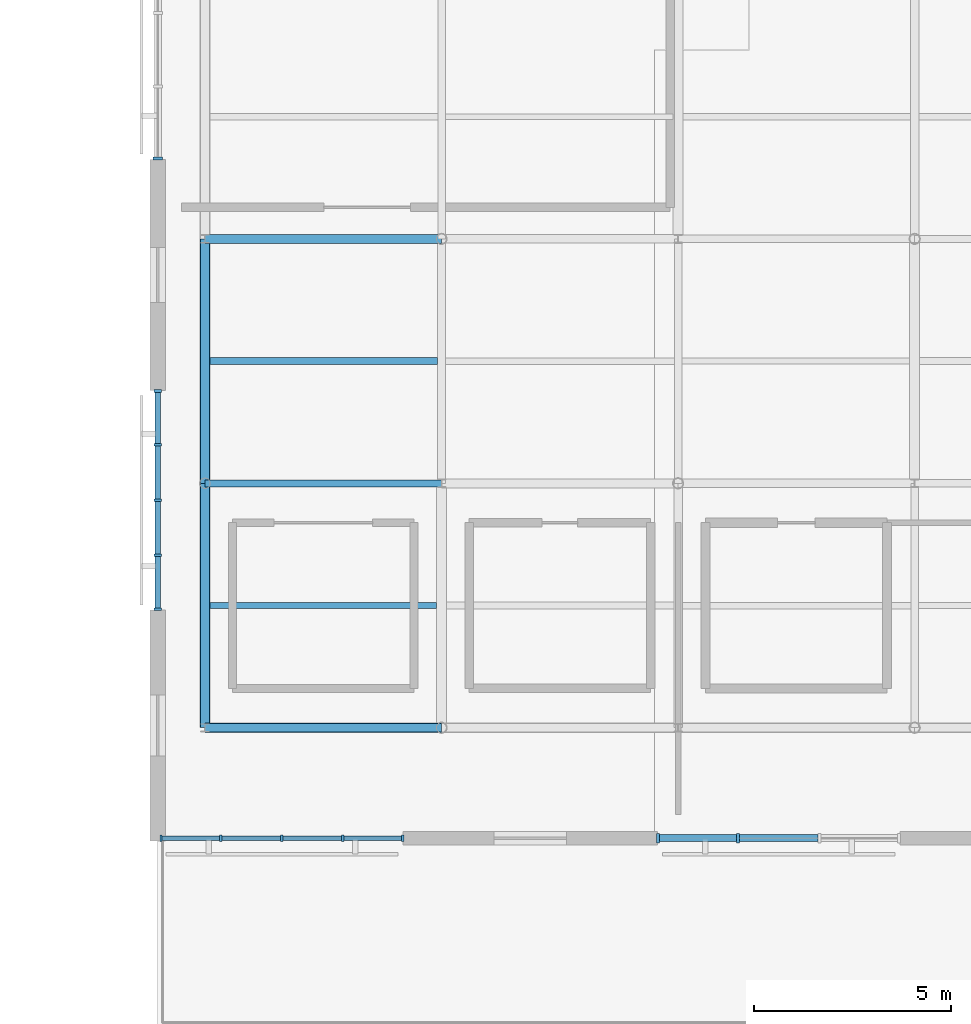
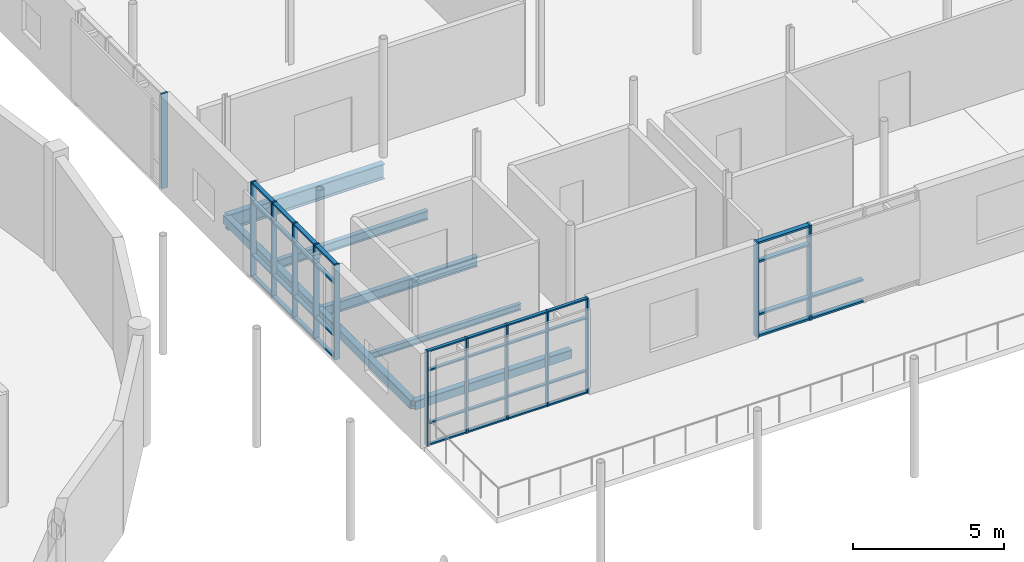
# One storey, part 22 of 66: 51 members, 7 beams, 4 elements without a shape of their own.
"""IFC4 building model written with IfcOpenShell, lengths in metres."""

from ifc_helpers import new_model, si_unit, direction, frame, origin, origin_2d, place, context, subcontext, project, spatial, rectangle, hollow_rectangle, i_section, extrude, material, layer, layer_set, material_profile, profile_set, type_object, element, aggregate, save


model = new_model("IFC4")

# Units and contexts
model_context = context("Model", 3, precision=1e-05, world=origin(), true_north=direction((0.0, 1.0)))
body_context = subcontext(model_context, "Body", "Model", "MODEL_VIEW")
ifc_project = project(units=[si_unit("LENGTHUNIT", "METRE"), si_unit("AREAUNIT", "SQUARE_METRE"), si_unit("VOLUMEUNIT", "CUBIC_METRE"), si_unit("PLANEANGLEUNIT", "RADIAN"), si_unit("MASSUNIT", "GRAM", prefix="KILO")], contexts=[model_context])

# Site, building, storey
site_placement = place(None, origin())
site = spatial("IfcSite", under=ifc_project, at=site_placement, CompositionType="ELEMENT")
building_placement = place(site_placement, origin())
building = spatial("IfcBuilding", under=site, at=building_placement, Name="Mirzam Square Science Centre", CompositionType="ELEMENT")
storey_placement = place(building_placement, frame((0.0, 0.0, 15.60009765625)))
storey = spatial("IfcBuildingStorey", under=building, at=storey_placement, Name="L03", CompositionType="ELEMENT", Elevation=15.60009765625)

# Beams
ifc_material_1 = material(Name="Steel S355", Category="steel")
ifc_material_profile_1 = material_profile(ifc_material_1, i_section(OverallWidth=0.1787109375, OverallDepth=0.409423828125, WebThickness=0.0087890625, FlangeThickness=0.014404296875, FilletRadius=0.01025390625, at=origin_2d()), Name="406x178x67UB")
ifc_profile_set_1 = profile_set([ifc_material_profile_1], Name="Steel S355")
beam_type_1 = type_object("IfcBeamType", Name="BM-UB406", PredefinedType="BEAM", material=ifc_profile_set_1)
beam_1_placement = place(storey_placement, frame((108.0, 55.800048828125, -0.454833984375), z_axis=(1.0, 0.0, 0.0), x_axis=(0.0, 1.0, 0.0)))
element("IfcBeam", 1, at=beam_1_placement, inside=storey, type_object=beam_type_1, Name="L03 girder X19-10", PredefinedType="BEAM", context=body_context, shape_type="SweptSolid", body=[
    extrude(i_section(OverallWidth=0.1787109375, OverallDepth=0.409423828125, WebThickness=0.0087890625, FlangeThickness=0.014404296875, FilletRadius=0.01025390625, at=origin_2d()), origin(), (0.0, 0.0, 1.0), 6.0),
])
ifc_material_profile_2 = material_profile(ifc_material_1, i_section(OverallWidth=0.22900390625, OverallDepth=0.6123046875, WebThickness=0.011962890625, FlangeThickness=0.01953125, FilletRadius=0.0126953125, at=origin_2d()), Name="610x229x125UB")
ifc_profile_set_2 = profile_set([ifc_material_profile_2], Name="Steel S355")
beam_type_2 = type_object("IfcBeamType", Name="BM-UB610", PredefinedType="BEAM", material=ifc_profile_set_2)
beam_2_placement = place(storey_placement, frame((108.0, 62.0, -0.55615234375), z_axis=(1.0, 0.0, 0.0), x_axis=(0.0, 1.0, 0.0)))
element("IfcBeam", 2, at=beam_2_placement, inside=storey, type_object=beam_type_2, Name="L03 girder X19-11", PredefinedType="BEAM", context=body_context, shape_type="SweptSolid", body=[
    extrude(i_section(OverallWidth=0.22900390625, OverallDepth=0.6123046875, WebThickness=0.011962890625, FlangeThickness=0.01953125, FilletRadius=0.0126953125, at=origin_2d()), origin(), (0.0, 0.0, 1.0), 6.0),
])

# Curtain wall, members
ifc_material_2 = material(Name="Anodised Aluminium and Low-E Solar Glass", Category="aluminium")
ifc_layer_1 = layer(ifc_material_2, 0.159912109375)
ifc_layer_set_1 = layer_set([ifc_layer_1], Name="CW-COURT-B")
curtain_wall_type_1 = type_object("IfcCurtainWallType", Name="CW-COURT-B", PredefinedType="USERDEFINED", material=ifc_layer_set_1)
curtain_wall_1_placement = place(storey_placement, origin())
curtain_wall_1 = element("IfcCurtainWall", 3, at=curtain_wall_1_placement, inside=storey, type_object=curtain_wall_type_1, Name="L03 unitised curtain wall 123", ObjectType="UNITISED CURTAIN WALL", PredefinedType="USERDEFINED")
ifc_material_3 = material(Name="Anodised Architectural Aluminium 6063-T6", Category="aluminium")
ifc_material_profile_3 = material_profile(ifc_material_3, rectangle(XDim=0.06005859375, YDim=0.159912109375, at=origin_2d()), Name="ALU-MULL-160x60x4")
ifc_profile_set_3 = profile_set([ifc_material_profile_3], Name="Anodised Architectural Aluminium 6063-T6")
member_type_1 = type_object("IfcMemberType", Name="CWM-160", PredefinedType="MULLION", material=ifc_profile_set_3)
member_1_placement = place(storey_placement, frame((106.885009765625, 46.800048828125, 0.0), z_axis=(0.0, 0.0, 1.0), x_axis=(1.0, 0.0, 0.0)))
member_1 = element("IfcMember", 4, at=member_1_placement, type_object=member_type_1, Name="CW-04 mullion 1", PredefinedType="MULLION", context=body_context, shape_type="SweptSolid", body=[
    extrude(rectangle(XDim=0.06005859375, YDim=0.159912109375, at=origin_2d()), origin(), (0.0, 0.0, 1.0), 3.83984375),
])
member_2_placement = place(storey_placement, frame((108.402587890625, 46.800048828125, 0.0), z_axis=(0.0, 0.0, 1.0), x_axis=(1.0, 0.0, 0.0)))
member_2 = element("IfcMember", 5, at=member_2_placement, type_object=member_type_1, Name="CW-04 mullion 2", PredefinedType="MULLION", context=body_context, shape_type="SweptSolid", body=[
    extrude(rectangle(XDim=0.06005859375, YDim=0.159912109375, at=origin_2d()), origin(), (0.0, 0.0, 1.0), 3.83984375),
])
member_3_placement = place(storey_placement, frame((109.949951171875, 46.800048828125, 0.0), z_axis=(0.0, 0.0, 1.0), x_axis=(1.0, 0.0, 0.0)))
member_3 = element("IfcMember", 6, at=member_3_placement, type_object=member_type_1, Name="CW-04 mullion 3", PredefinedType="MULLION", context=body_context, shape_type="SweptSolid", body=[
    extrude(rectangle(XDim=0.06005859375, YDim=0.159912109375, at=origin_2d()), origin(), (0.0, 0.0, 1.0), 3.83984375),
])
member_4_placement = place(storey_placement, frame((111.49755859375, 46.800048828125, 0.0), z_axis=(0.0, 0.0, 1.0), x_axis=(1.0, 0.0, 0.0)))
member_4 = element("IfcMember", 7, at=member_4_placement, type_object=member_type_1, Name="CW-04 mullion 4", PredefinedType="MULLION", context=body_context, shape_type="SweptSolid", body=[
    extrude(rectangle(XDim=0.06005859375, YDim=0.159912109375, at=origin_2d()), origin(), (0.0, 0.0, 1.0), 3.83984375),
])
member_5_placement = place(storey_placement, frame((113.014892578125, 46.800048828125, 0.0), z_axis=(0.0, 0.0, 1.0), x_axis=(1.0, 0.0, 0.0)))
member_5 = element("IfcMember", 8, at=member_5_placement, type_object=member_type_1, Name="CW-04 mullion 5", PredefinedType="MULLION", context=body_context, shape_type="SweptSolid", body=[
    extrude(rectangle(XDim=0.06005859375, YDim=0.159912109375, at=origin_2d()), origin(), (0.0, 0.0, 1.0), 3.83984375),
])

ifc_layer_2 = layer(ifc_material_2, 0.179931640625)
ifc_layer_set_2 = layer_set([ifc_layer_2], Name="CW-LINK-A")
curtain_wall_type_2 = type_object("IfcCurtainWallType", Name="CW-LINK-A", PredefinedType="USERDEFINED", material=ifc_layer_set_2)
curtain_wall_2_placement = place(storey_placement, origin())
curtain_wall_2 = element("IfcCurtainWall", 9, at=curtain_wall_2_placement, inside=storey, type_object=curtain_wall_type_2, Name="L03 unitised curtain wall 135", ObjectType="UNITISED CURTAIN WALL", PredefinedType="USERDEFINED")
ifc_material_profile_4 = material_profile(ifc_material_3, rectangle(XDim=0.06494140625, YDim=0.199951171875, at=origin_2d()), Name="ALU-MULL-200x65x5")
ifc_profile_set_4 = profile_set([ifc_material_profile_4], Name="Anodised Architectural Aluminium 6063-T6")
member_type_2 = type_object("IfcMemberType", Name="CWM-200", PredefinedType="MULLION", material=ifc_profile_set_4)
member_6_placement = place(storey_placement, frame((106.800048828125, 58.14111328125, 0.0), z_axis=(0.0, 0.0, 1.0), x_axis=(0.0, -1.0, 0.0)))
member_6 = element("IfcMember", 10, at=member_6_placement, type_object=member_type_2, Name="CW-08 mullion 1", PredefinedType="MULLION", context=body_context, shape_type="SweptSolid", body=[
    extrude(rectangle(XDim=0.06494140625, YDim=0.199951171875, at=origin_2d()), origin(), (0.0, 0.0, 1.0), 3.83984375),
])
member_7_placement = place(storey_placement, frame((106.800048828125, 56.7724609375, 0.0), z_axis=(0.0, 0.0, 1.0), x_axis=(0.0, -1.0, 0.0)))
member_7 = element("IfcMember", 11, at=member_7_placement, type_object=member_type_2, Name="CW-08 mullion 2", PredefinedType="MULLION", context=body_context, shape_type="SweptSolid", body=[
    extrude(rectangle(XDim=0.06494140625, YDim=0.199951171875, at=origin_2d()), origin(), (0.0, 0.0, 1.0), 3.83984375),
])
member_8_placement = place(storey_placement, frame((106.800048828125, 55.371337890625, 0.0), z_axis=(0.0, 0.0, 1.0), x_axis=(0.0, -1.0, 0.0)))
member_8 = element("IfcMember", 12, at=member_8_placement, type_object=member_type_2, Name="CW-08 mullion 3", PredefinedType="MULLION", context=body_context, shape_type="SweptSolid", body=[
    extrude(rectangle(XDim=0.06494140625, YDim=0.199951171875, at=origin_2d()), origin(), (0.0, 0.0, 1.0), 3.83984375),
])
member_9_placement = place(storey_placement, frame((106.800048828125, 53.970458984375, 0.0), z_axis=(0.0, 0.0, 1.0), x_axis=(0.0, -1.0, 0.0)))
member_9 = element("IfcMember", 13, at=member_9_placement, type_object=member_type_2, Name="CW-08 mullion 4", PredefinedType="MULLION", context=body_context, shape_type="SweptSolid", body=[
    extrude(rectangle(XDim=0.06494140625, YDim=0.199951171875, at=origin_2d()), origin(), (0.0, 0.0, 1.0), 3.83984375),
])
member_10_placement = place(storey_placement, frame((106.800048828125, 52.601806640625, 0.0), z_axis=(0.0, 0.0, 1.0), x_axis=(0.0, -1.0, 0.0)))
member_10 = element("IfcMember", 14, at=member_10_placement, type_object=member_type_2, Name="CW-08 mullion 5", PredefinedType="MULLION", context=body_context, shape_type="SweptSolid", body=[
    extrude(rectangle(XDim=0.06494140625, YDim=0.199951171875, at=origin_2d()), origin(), (0.0, 0.0, 1.0), 3.83984375),
])

ifc_layer_3 = layer(ifc_material_2, 0.239990234375)
ifc_layer_set_3 = layer_set([ifc_layer_3], Name="CW-EAST-B")
curtain_wall_type_3 = type_object("IfcCurtainWallType", Name="CW-EAST-B", PredefinedType="USERDEFINED", material=ifc_layer_set_3)
curtain_wall_3_placement = place(storey_placement, origin())
curtain_wall_3 = element("IfcCurtainWall", 15, at=curtain_wall_3_placement, inside=storey, type_object=curtain_wall_type_3, Name="L03 unitised curtain wall 124", ObjectType="UNITISED CURTAIN WALL", PredefinedType="USERDEFINED")
ifc_material_profile_5 = material_profile(ifc_material_3, rectangle(XDim=0.074951171875, YDim=0.239990234375, at=origin_2d()), Name="ALU-MULL-240x75x5")
ifc_profile_set_5 = profile_set([ifc_material_profile_5], Name="Anodised Architectural Aluminium 6063-T6")
member_type_3 = type_object("IfcMemberType", Name="CWM-240", PredefinedType="MULLION", material=ifc_profile_set_5)
member_11_placement = place(storey_placement, frame((119.492431640625, 46.800048828125, 0.0), z_axis=(0.0, 0.0, 1.0), x_axis=(1.0, 0.0, 0.0)))
member_11 = element("IfcMember", 16, at=member_11_placement, type_object=member_type_3, Name="CW-06 mullion 1", PredefinedType="MULLION", context=body_context, shape_type="SweptSolid", body=[
    extrude(rectangle(XDim=0.074951171875, YDim=0.239990234375, at=origin_2d()), origin(), (0.0, 0.0, 1.0), 3.83984375),
])
member_12_placement = place(storey_placement, frame((121.518310546875, 46.800048828125, 0.0), z_axis=(0.0, 0.0, 1.0), x_axis=(1.0, 0.0, 0.0)))
member_12 = element("IfcMember", 17, at=member_12_placement, type_object=member_type_3, Name="CW-06 mullion 2", PredefinedType="MULLION", context=body_context, shape_type="SweptSolid", body=[
    extrude(rectangle(XDim=0.074951171875, YDim=0.239990234375, at=origin_2d()), origin(), (0.0, 0.0, 1.0), 3.83984375),
])

# Curtain wall, member
curtain_wall_4_placement = place(storey_placement, origin())
curtain_wall_4 = element("IfcCurtainWall", 18, at=curtain_wall_4_placement, inside=storey, type_object=curtain_wall_type_3, Name="L03 unitised curtain wall 134", ObjectType="UNITISED CURTAIN WALL", PredefinedType="USERDEFINED")
member_13_placement = place(storey_placement, frame((106.800048828125, 64.035400390625, 0.0), z_axis=(0.0, 0.0, 1.0), x_axis=(0.0, -1.0, 0.0)))
member_13 = element("IfcMember", 19, at=member_13_placement, type_object=member_type_3, Name="CW-06 mullion 4", PredefinedType="MULLION", context=body_context, shape_type="SweptSolid", body=[
    extrude(rectangle(XDim=0.074951171875, YDim=0.239990234375, at=origin_2d()), origin(), (0.0, 0.0, 1.0), 3.83984375),
])
aggregate(curtain_wall_4, [member_13])

# Member
ifc_material_profile_6 = material_profile(ifc_material_3, rectangle(XDim=0.1201171875, YDim=0.06005859375, at=origin_2d()), Name="ALU-TRAN-120x60x4")
ifc_profile_set_6 = profile_set([ifc_material_profile_6], Name="Anodised Architectural Aluminium 6063-T6")
member_type_4 = type_object("IfcMemberType", Name="CWT-120", PredefinedType="USERDEFINED", material=ifc_profile_set_6)
member_14_placement = place(storey_placement, frame((106.9150390625, 46.800048828125, 0.02978515625), z_axis=(1.0, 0.0, 0.0), x_axis=(0.0, 1.0, 0.0)))
member_14 = element("IfcMember", 20, at=member_14_placement, type_object=member_type_4, Name="CW-04 transom 1.1", ObjectType="TRANSOM", PredefinedType="USERDEFINED", context=body_context, shape_type="SweptSolid", body=[
    extrude(rectangle(XDim=0.1201171875, YDim=0.06005859375, at=origin_2d()), origin(), (0.0, 0.0, 1.0), 1.45751953125),
])

member_15_placement = place(storey_placement, frame((106.9150390625, 46.800048828125, 0.89990234375), z_axis=(1.0, 0.0, 0.0), x_axis=(0.0, 1.0, 0.0)))
member_15 = element("IfcMember", 21, at=member_15_placement, type_object=member_type_4, Name="CW-04 transom 1.2", ObjectType="TRANSOM", PredefinedType="USERDEFINED", context=body_context, shape_type="SweptSolid", body=[
    extrude(rectangle(XDim=0.1201171875, YDim=0.06005859375, at=origin_2d()), origin(), (0.0, 0.0, 1.0), 1.45751953125),
])

member_16_placement = place(storey_placement, frame((106.9150390625, 46.800048828125, 3.039794921875), z_axis=(1.0, 0.0, 0.0), x_axis=(0.0, 1.0, 0.0)))
member_16 = element("IfcMember", 22, at=member_16_placement, type_object=member_type_4, Name="CW-04 transom 1.3", ObjectType="TRANSOM", PredefinedType="USERDEFINED", context=body_context, shape_type="SweptSolid", body=[
    extrude(rectangle(XDim=0.1201171875, YDim=0.06005859375, at=origin_2d()), origin(), (0.0, 0.0, 1.0), 1.45751953125),
])

member_17_placement = place(storey_placement, frame((106.9150390625, 46.800048828125, 3.809814453125), z_axis=(1.0, 0.0, 0.0), x_axis=(0.0, 1.0, 0.0)))
member_17 = element("IfcMember", 23, at=member_17_placement, type_object=member_type_4, Name="CW-04 transom 1.4", ObjectType="TRANSOM", PredefinedType="USERDEFINED", context=body_context, shape_type="SweptSolid", body=[
    extrude(rectangle(XDim=0.1201171875, YDim=0.06005859375, at=origin_2d()), origin(), (0.0, 0.0, 1.0), 1.45751953125),
])

member_18_placement = place(storey_placement, frame((108.4326171875, 46.800048828125, 0.02978515625), z_axis=(1.0, 0.0, 0.0), x_axis=(0.0, 1.0, 0.0)))
member_18 = element("IfcMember", 24, at=member_18_placement, type_object=member_type_4, Name="CW-04 transom 2.1", ObjectType="TRANSOM", PredefinedType="USERDEFINED", context=body_context, shape_type="SweptSolid", body=[
    extrude(rectangle(XDim=0.1201171875, YDim=0.06005859375, at=origin_2d()), origin(), (0.0, 0.0, 1.0), 1.4873046875),
])

member_19_placement = place(storey_placement, frame((108.4326171875, 46.800048828125, 0.89990234375), z_axis=(1.0, 0.0, 0.0), x_axis=(0.0, 1.0, 0.0)))
member_19 = element("IfcMember", 25, at=member_19_placement, type_object=member_type_4, Name="CW-04 transom 2.2", ObjectType="TRANSOM", PredefinedType="USERDEFINED", context=body_context, shape_type="SweptSolid", body=[
    extrude(rectangle(XDim=0.1201171875, YDim=0.06005859375, at=origin_2d()), origin(), (0.0, 0.0, 1.0), 1.4873046875),
])

member_20_placement = place(storey_placement, frame((108.4326171875, 46.800048828125, 3.039794921875), z_axis=(1.0, 0.0, 0.0), x_axis=(0.0, 1.0, 0.0)))
member_20 = element("IfcMember", 26, at=member_20_placement, type_object=member_type_4, Name="CW-04 transom 2.3", ObjectType="TRANSOM", PredefinedType="USERDEFINED", context=body_context, shape_type="SweptSolid", body=[
    extrude(rectangle(XDim=0.1201171875, YDim=0.06005859375, at=origin_2d()), origin(), (0.0, 0.0, 1.0), 1.4873046875),
])

member_21_placement = place(storey_placement, frame((108.4326171875, 46.800048828125, 3.809814453125), z_axis=(1.0, 0.0, 0.0), x_axis=(0.0, 1.0, 0.0)))
member_21 = element("IfcMember", 27, at=member_21_placement, type_object=member_type_4, Name="CW-04 transom 2.4", ObjectType="TRANSOM", PredefinedType="USERDEFINED", context=body_context, shape_type="SweptSolid", body=[
    extrude(rectangle(XDim=0.1201171875, YDim=0.06005859375, at=origin_2d()), origin(), (0.0, 0.0, 1.0), 1.4873046875),
])

member_22_placement = place(storey_placement, frame((109.97998046875, 46.800048828125, 0.02978515625), z_axis=(1.0, 0.0, 0.0), x_axis=(0.0, 1.0, 0.0)))
member_22 = element("IfcMember", 28, at=member_22_placement, type_object=member_type_4, Name="CW-04 transom 3.1", ObjectType="TRANSOM", PredefinedType="USERDEFINED", context=body_context, shape_type="SweptSolid", body=[
    extrude(rectangle(XDim=0.1201171875, YDim=0.06005859375, at=origin_2d()), origin(), (0.0, 0.0, 1.0), 1.487548828125),
])

member_23_placement = place(storey_placement, frame((109.97998046875, 46.800048828125, 0.89990234375), z_axis=(1.0, 0.0, 0.0), x_axis=(0.0, 1.0, 0.0)))
member_23 = element("IfcMember", 29, at=member_23_placement, type_object=member_type_4, Name="CW-04 transom 3.2", ObjectType="TRANSOM", PredefinedType="USERDEFINED", context=body_context, shape_type="SweptSolid", body=[
    extrude(rectangle(XDim=0.1201171875, YDim=0.06005859375, at=origin_2d()), origin(), (0.0, 0.0, 1.0), 1.487548828125),
])

member_24_placement = place(storey_placement, frame((109.97998046875, 46.800048828125, 3.039794921875), z_axis=(1.0, 0.0, 0.0), x_axis=(0.0, 1.0, 0.0)))
member_24 = element("IfcMember", 30, at=member_24_placement, type_object=member_type_4, Name="CW-04 transom 3.3", ObjectType="TRANSOM", PredefinedType="USERDEFINED", context=body_context, shape_type="SweptSolid", body=[
    extrude(rectangle(XDim=0.1201171875, YDim=0.06005859375, at=origin_2d()), origin(), (0.0, 0.0, 1.0), 1.487548828125),
])

member_25_placement = place(storey_placement, frame((109.97998046875, 46.800048828125, 3.809814453125), z_axis=(1.0, 0.0, 0.0), x_axis=(0.0, 1.0, 0.0)))
member_25 = element("IfcMember", 31, at=member_25_placement, type_object=member_type_4, Name="CW-04 transom 3.4", ObjectType="TRANSOM", PredefinedType="USERDEFINED", context=body_context, shape_type="SweptSolid", body=[
    extrude(rectangle(XDim=0.1201171875, YDim=0.06005859375, at=origin_2d()), origin(), (0.0, 0.0, 1.0), 1.487548828125),
])

member_26_placement = place(storey_placement, frame((111.527587890625, 46.800048828125, 0.02978515625), z_axis=(1.0, 0.0, 0.0), x_axis=(0.0, 1.0, 0.0)))
member_26 = element("IfcMember", 32, at=member_26_placement, type_object=member_type_4, Name="CW-04 transom 4.1", ObjectType="TRANSOM", PredefinedType="USERDEFINED", context=body_context, shape_type="SweptSolid", body=[
    extrude(rectangle(XDim=0.1201171875, YDim=0.06005859375, at=origin_2d()), origin(), (0.0, 0.0, 1.0), 1.45751953125),
])

member_27_placement = place(storey_placement, frame((111.527587890625, 46.800048828125, 0.89990234375), z_axis=(1.0, 0.0, 0.0), x_axis=(0.0, 1.0, 0.0)))
member_27 = element("IfcMember", 33, at=member_27_placement, type_object=member_type_4, Name="CW-04 transom 4.2", ObjectType="TRANSOM", PredefinedType="USERDEFINED", context=body_context, shape_type="SweptSolid", body=[
    extrude(rectangle(XDim=0.1201171875, YDim=0.06005859375, at=origin_2d()), origin(), (0.0, 0.0, 1.0), 1.45751953125),
])

member_28_placement = place(storey_placement, frame((111.527587890625, 46.800048828125, 3.039794921875), z_axis=(1.0, 0.0, 0.0), x_axis=(0.0, 1.0, 0.0)))
member_28 = element("IfcMember", 34, at=member_28_placement, type_object=member_type_4, Name="CW-04 transom 4.3", ObjectType="TRANSOM", PredefinedType="USERDEFINED", context=body_context, shape_type="SweptSolid", body=[
    extrude(rectangle(XDim=0.1201171875, YDim=0.06005859375, at=origin_2d()), origin(), (0.0, 0.0, 1.0), 1.45751953125),
])

member_29_placement = place(storey_placement, frame((111.527587890625, 46.800048828125, 3.809814453125), z_axis=(1.0, 0.0, 0.0), x_axis=(0.0, 1.0, 0.0)))
member_29 = element("IfcMember", 35, at=member_29_placement, type_object=member_type_4, Name="CW-04 transom 4.4", ObjectType="TRANSOM", PredefinedType="USERDEFINED", context=body_context, shape_type="SweptSolid", body=[
    extrude(rectangle(XDim=0.1201171875, YDim=0.06005859375, at=origin_2d()), origin(), (0.0, 0.0, 1.0), 1.45751953125),
])

aggregate(curtain_wall_1, [member_1, member_2, member_3, member_4, member_5, member_14, member_15, member_16, member_17, member_18, member_19, member_20, member_21, member_22, member_23, member_24, member_25, member_26, member_27, member_28, member_29])

ifc_material_profile_7 = material_profile(ifc_material_3, rectangle(XDim=0.14990234375, YDim=0.06494140625, at=origin_2d()), Name="ALU-TRAN-150x65x4")
ifc_profile_set_7 = profile_set([ifc_material_profile_7], Name="Anodised Architectural Aluminium 6063-T6")
member_type_5 = type_object("IfcMemberType", Name="CWT-150", PredefinedType="USERDEFINED", material=ifc_profile_set_7)
member_30_placement = place(storey_placement, frame((106.800048828125, 58.108642578125, 0.032470703125), z_axis=(0.0, -1.0, 0.0), x_axis=(1.0, 0.0, 0.0)))
member_30 = element("IfcMember", 36, at=member_30_placement, type_object=member_type_5, Name="CW-08 transom 1.1", ObjectType="TRANSOM", PredefinedType="USERDEFINED", context=body_context, shape_type="SweptSolid", body=[
    extrude(rectangle(XDim=0.14990234375, YDim=0.06494140625, at=origin_2d()), origin(), (0.0, 0.0, 1.0), 1.3037109375),
])

member_31_placement = place(storey_placement, frame((106.800048828125, 58.108642578125, 0.89990234375), z_axis=(0.0, -1.0, 0.0), x_axis=(1.0, 0.0, 0.0)))
member_31 = element("IfcMember", 37, at=member_31_placement, type_object=member_type_5, Name="CW-08 transom 1.2", ObjectType="TRANSOM", PredefinedType="USERDEFINED", context=body_context, shape_type="SweptSolid", body=[
    extrude(rectangle(XDim=0.14990234375, YDim=0.06494140625, at=origin_2d()), origin(), (0.0, 0.0, 1.0), 1.3037109375),
])

member_32_placement = place(storey_placement, frame((106.800048828125, 58.108642578125, 3.039794921875), z_axis=(0.0, -1.0, 0.0), x_axis=(1.0, 0.0, 0.0)))
member_32 = element("IfcMember", 38, at=member_32_placement, type_object=member_type_5, Name="CW-08 transom 1.3", ObjectType="TRANSOM", PredefinedType="USERDEFINED", context=body_context, shape_type="SweptSolid", body=[
    extrude(rectangle(XDim=0.14990234375, YDim=0.06494140625, at=origin_2d()), origin(), (0.0, 0.0, 1.0), 1.3037109375),
])

member_33_placement = place(storey_placement, frame((106.800048828125, 58.108642578125, 3.807373046875), z_axis=(0.0, -1.0, 0.0), x_axis=(1.0, 0.0, 0.0)))
member_33 = element("IfcMember", 39, at=member_33_placement, type_object=member_type_5, Name="CW-08 transom 1.4", ObjectType="TRANSOM", PredefinedType="USERDEFINED", context=body_context, shape_type="SweptSolid", body=[
    extrude(rectangle(XDim=0.14990234375, YDim=0.06494140625, at=origin_2d()), origin(), (0.0, 0.0, 1.0), 1.3037109375),
])

member_34_placement = place(storey_placement, frame((106.800048828125, 56.739990234375, 0.032470703125), z_axis=(0.0, -1.0, 0.0), x_axis=(1.0, 0.0, 0.0)))
member_34 = element("IfcMember", 40, at=member_34_placement, type_object=member_type_5, Name="CW-08 transom 2.1", ObjectType="TRANSOM", PredefinedType="USERDEFINED", context=body_context, shape_type="SweptSolid", body=[
    extrude(rectangle(XDim=0.14990234375, YDim=0.06494140625, at=origin_2d()), origin(), (0.0, 0.0, 1.0), 1.3359375),
])

member_35_placement = place(storey_placement, frame((106.800048828125, 56.739990234375, 0.89990234375), z_axis=(0.0, -1.0, 0.0), x_axis=(1.0, 0.0, 0.0)))
member_35 = element("IfcMember", 41, at=member_35_placement, type_object=member_type_5, Name="CW-08 transom 2.2", ObjectType="TRANSOM", PredefinedType="USERDEFINED", context=body_context, shape_type="SweptSolid", body=[
    extrude(rectangle(XDim=0.14990234375, YDim=0.06494140625, at=origin_2d()), origin(), (0.0, 0.0, 1.0), 1.3359375),
])

member_36_placement = place(storey_placement, frame((106.800048828125, 56.739990234375, 3.039794921875), z_axis=(0.0, -1.0, 0.0), x_axis=(1.0, 0.0, 0.0)))
member_36 = element("IfcMember", 42, at=member_36_placement, type_object=member_type_5, Name="CW-08 transom 2.3", ObjectType="TRANSOM", PredefinedType="USERDEFINED", context=body_context, shape_type="SweptSolid", body=[
    extrude(rectangle(XDim=0.14990234375, YDim=0.06494140625, at=origin_2d()), origin(), (0.0, 0.0, 1.0), 1.3359375),
])

member_37_placement = place(storey_placement, frame((106.800048828125, 56.739990234375, 3.807373046875), z_axis=(0.0, -1.0, 0.0), x_axis=(1.0, 0.0, 0.0)))
member_37 = element("IfcMember", 43, at=member_37_placement, type_object=member_type_5, Name="CW-08 transom 2.4", ObjectType="TRANSOM", PredefinedType="USERDEFINED", context=body_context, shape_type="SweptSolid", body=[
    extrude(rectangle(XDim=0.14990234375, YDim=0.06494140625, at=origin_2d()), origin(), (0.0, 0.0, 1.0), 1.3359375),
])

member_38_placement = place(storey_placement, frame((106.800048828125, 55.3388671875, 0.032470703125), z_axis=(0.0, -1.0, 0.0), x_axis=(1.0, 0.0, 0.0)))
member_38 = element("IfcMember", 44, at=member_38_placement, type_object=member_type_5, Name="CW-08 transom 3.1", ObjectType="TRANSOM", PredefinedType="USERDEFINED", context=body_context, shape_type="SweptSolid", body=[
    extrude(rectangle(XDim=0.14990234375, YDim=0.06494140625, at=origin_2d()), origin(), (0.0, 0.0, 1.0), 1.3359375),
])

member_39_placement = place(storey_placement, frame((106.800048828125, 55.3388671875, 0.89990234375), z_axis=(0.0, -1.0, 0.0), x_axis=(1.0, 0.0, 0.0)))
member_39 = element("IfcMember", 45, at=member_39_placement, type_object=member_type_5, Name="CW-08 transom 3.2", ObjectType="TRANSOM", PredefinedType="USERDEFINED", context=body_context, shape_type="SweptSolid", body=[
    extrude(rectangle(XDim=0.14990234375, YDim=0.06494140625, at=origin_2d()), origin(), (0.0, 0.0, 1.0), 1.3359375),
])

member_40_placement = place(storey_placement, frame((106.800048828125, 55.3388671875, 3.039794921875), z_axis=(0.0, -1.0, 0.0), x_axis=(1.0, 0.0, 0.0)))
member_40 = element("IfcMember", 46, at=member_40_placement, type_object=member_type_5, Name="CW-08 transom 3.3", ObjectType="TRANSOM", PredefinedType="USERDEFINED", context=body_context, shape_type="SweptSolid", body=[
    extrude(rectangle(XDim=0.14990234375, YDim=0.06494140625, at=origin_2d()), origin(), (0.0, 0.0, 1.0), 1.3359375),
])

member_41_placement = place(storey_placement, frame((106.800048828125, 55.3388671875, 3.807373046875), z_axis=(0.0, -1.0, 0.0), x_axis=(1.0, 0.0, 0.0)))
member_41 = element("IfcMember", 47, at=member_41_placement, type_object=member_type_5, Name="CW-08 transom 3.4", ObjectType="TRANSOM", PredefinedType="USERDEFINED", context=body_context, shape_type="SweptSolid", body=[
    extrude(rectangle(XDim=0.14990234375, YDim=0.06494140625, at=origin_2d()), origin(), (0.0, 0.0, 1.0), 1.3359375),
])

member_42_placement = place(storey_placement, frame((106.800048828125, 53.93798828125, 0.032470703125), z_axis=(0.0, -1.0, 0.0), x_axis=(1.0, 0.0, 0.0)))
member_42 = element("IfcMember", 48, at=member_42_placement, type_object=member_type_5, Name="CW-08 transom 4.1", ObjectType="TRANSOM", PredefinedType="USERDEFINED", context=body_context, shape_type="SweptSolid", body=[
    extrude(rectangle(XDim=0.14990234375, YDim=0.06494140625, at=origin_2d()), origin(), (0.0, 0.0, 1.0), 1.3037109375),
])

member_43_placement = place(storey_placement, frame((106.800048828125, 53.93798828125, 0.89990234375), z_axis=(0.0, -1.0, 0.0), x_axis=(1.0, 0.0, 0.0)))
member_43 = element("IfcMember", 49, at=member_43_placement, type_object=member_type_5, Name="CW-08 transom 4.2", ObjectType="TRANSOM", PredefinedType="USERDEFINED", context=body_context, shape_type="SweptSolid", body=[
    extrude(rectangle(XDim=0.14990234375, YDim=0.06494140625, at=origin_2d()), origin(), (0.0, 0.0, 1.0), 1.3037109375),
])

member_44_placement = place(storey_placement, frame((106.800048828125, 53.93798828125, 3.039794921875), z_axis=(0.0, -1.0, 0.0), x_axis=(1.0, 0.0, 0.0)))
member_44 = element("IfcMember", 50, at=member_44_placement, type_object=member_type_5, Name="CW-08 transom 4.3", ObjectType="TRANSOM", PredefinedType="USERDEFINED", context=body_context, shape_type="SweptSolid", body=[
    extrude(rectangle(XDim=0.14990234375, YDim=0.06494140625, at=origin_2d()), origin(), (0.0, 0.0, 1.0), 1.3037109375),
])

member_45_placement = place(storey_placement, frame((106.800048828125, 53.93798828125, 3.807373046875), z_axis=(0.0, -1.0, 0.0), x_axis=(1.0, 0.0, 0.0)))
member_45 = element("IfcMember", 51, at=member_45_placement, type_object=member_type_5, Name="CW-08 transom 4.4", ObjectType="TRANSOM", PredefinedType="USERDEFINED", context=body_context, shape_type="SweptSolid", body=[
    extrude(rectangle(XDim=0.14990234375, YDim=0.06494140625, at=origin_2d()), origin(), (0.0, 0.0, 1.0), 1.3037109375),
])

aggregate(curtain_wall_2, [member_6, member_7, member_8, member_9, member_10, member_30, member_31, member_32, member_33, member_34, member_35, member_36, member_37, member_38, member_39, member_40, member_41, member_42, member_43, member_44, member_45])

ifc_material_profile_8 = material_profile(ifc_material_3, rectangle(XDim=0.179931640625, YDim=0.074951171875, at=origin_2d()), Name="ALU-TRAN-180x75x5")
ifc_profile_set_8 = profile_set([ifc_material_profile_8], Name="Anodised Architectural Aluminium 6063-T6")
member_type_6 = type_object("IfcMemberType", Name="CWT-180", PredefinedType="USERDEFINED", material=ifc_profile_set_8)
member_46_placement = place(storey_placement, frame((119.530029296875, 46.800048828125, 0.037353515625), z_axis=(1.0, 0.0, 0.0), x_axis=(0.0, 1.0, 0.0)))
member_46 = element("IfcMember", 52, at=member_46_placement, type_object=member_type_6, Name="CW-06 transom 1.1", ObjectType="TRANSOM", PredefinedType="USERDEFINED", context=body_context, shape_type="SweptSolid", body=[
    extrude(rectangle(XDim=0.179931640625, YDim=0.074951171875, at=origin_2d()), origin(), (0.0, 0.0, 1.0), 1.95068359375),
])

member_47_placement = place(storey_placement, frame((119.530029296875, 46.800048828125, 0.89990234375), z_axis=(1.0, 0.0, 0.0), x_axis=(0.0, 1.0, 0.0)))
member_47 = element("IfcMember", 53, at=member_47_placement, type_object=member_type_6, Name="CW-06 transom 1.2", ObjectType="TRANSOM", PredefinedType="USERDEFINED", context=body_context, shape_type="SweptSolid", body=[
    extrude(rectangle(XDim=0.179931640625, YDim=0.074951171875, at=origin_2d()), origin(), (0.0, 0.0, 1.0), 1.95068359375),
])

member_48_placement = place(storey_placement, frame((119.530029296875, 46.800048828125, 3.039794921875), z_axis=(1.0, 0.0, 0.0), x_axis=(0.0, 1.0, 0.0)))
member_48 = element("IfcMember", 54, at=member_48_placement, type_object=member_type_6, Name="CW-06 transom 1.3", ObjectType="TRANSOM", PredefinedType="USERDEFINED", context=body_context, shape_type="SweptSolid", body=[
    extrude(rectangle(XDim=0.179931640625, YDim=0.074951171875, at=origin_2d()), origin(), (0.0, 0.0, 1.0), 1.95068359375),
])

member_49_placement = place(storey_placement, frame((119.530029296875, 46.800048828125, 3.802490234375), z_axis=(1.0, 0.0, 0.0), x_axis=(0.0, 1.0, 0.0)))
member_49 = element("IfcMember", 55, at=member_49_placement, type_object=member_type_6, Name="CW-06 transom 1.4", ObjectType="TRANSOM", PredefinedType="USERDEFINED", context=body_context, shape_type="SweptSolid", body=[
    extrude(rectangle(XDim=0.179931640625, YDim=0.074951171875, at=origin_2d()), origin(), (0.0, 0.0, 1.0), 1.95068359375),
])

member_50_placement = place(storey_placement, frame((121.555908203125, 46.800048828125, 0.037353515625), z_axis=(1.0, 0.0, 0.0), x_axis=(0.0, 1.0, 0.0)))
member_50 = element("IfcMember", 56, at=member_50_placement, type_object=member_type_6, Name="CW-06 transom 2.1", ObjectType="TRANSOM", PredefinedType="USERDEFINED", context=body_context, shape_type="SweptSolid", body=[
    extrude(rectangle(XDim=0.179931640625, YDim=0.074951171875, at=origin_2d()), origin(), (0.0, 0.0, 1.0), 1.98828125),
])

member_51_placement = place(storey_placement, frame((121.555908203125, 46.800048828125, 0.89990234375), z_axis=(1.0, 0.0, 0.0), x_axis=(0.0, 1.0, 0.0)))
member_51 = element("IfcMember", 57, at=member_51_placement, type_object=member_type_6, Name="CW-06 transom 2.2", ObjectType="TRANSOM", PredefinedType="USERDEFINED", context=body_context, shape_type="SweptSolid", body=[
    extrude(rectangle(XDim=0.179931640625, YDim=0.074951171875, at=origin_2d()), origin(), (0.0, 0.0, 1.0), 1.98828125),
])

aggregate(curtain_wall_3, [member_11, member_12, member_46, member_47, member_48, member_49, member_50, member_51])

# Beams
ifc_material_profile_9 = material_profile(ifc_material_1, i_section(OverallWidth=0.146484375, OverallDepth=0.256103515625, WebThickness=0.00634765625, FlangeThickness=0.010986328125, FilletRadius=0.007568359375, at=origin_2d()), Name="254x146x37UB")
ifc_profile_set_9 = profile_set([ifc_material_profile_9], Name="Steel S355")
beam_type_3 = type_object("IfcBeamType", Name="JS-UB254", PredefinedType="JOIST", material=ifc_profile_set_9)
beam_3_placement = place(storey_placement, frame((108.125, 52.699951171875, -0.378173828125), z_axis=(1.0, 0.0, 0.0), x_axis=(0.0, 1.0, 0.0)))
element("IfcBeam", 58, at=beam_3_placement, inside=storey, type_object=beam_type_3, Name="L03 composite joist 19-9", PredefinedType="JOIST", context=body_context, shape_type="SweptSolid", body=[
    extrude(i_section(OverallWidth=0.146484375, OverallDepth=0.256103515625, WebThickness=0.00634765625, FlangeThickness=0.010986328125, FilletRadius=0.007568359375, at=origin_2d()), origin(), (0.0, 0.0, 1.0), 5.747802734375),
])
ifc_material_profile_10 = material_profile(ifc_material_1, i_section(OverallWidth=0.172119140625, OverallDepth=0.35791015625, WebThickness=0.008056640625, FlangeThickness=0.012939453125, FilletRadius=0.01025390625, at=origin_2d()), Name="356x171x57UB")
ifc_profile_set_10 = profile_set([ifc_material_profile_10], Name="Steel S355")
beam_type_4 = type_object("IfcBeamType", Name="JS-UB356", PredefinedType="JOIST", material=ifc_profile_set_10)
beam_4_placement = place(storey_placement, frame((108.125, 58.89990234375, -0.42919921875), z_axis=(1.0, 0.0, 0.0), x_axis=(0.0, 1.0, 0.0)))
element("IfcBeam", 59, at=beam_4_placement, inside=storey, type_object=beam_type_4, Name="L03 composite joist 19-10", PredefinedType="JOIST", context=body_context, shape_type="SweptSolid", body=[
    extrude(i_section(OverallWidth=0.172119140625, OverallDepth=0.35791015625, WebThickness=0.008056640625, FlangeThickness=0.012939453125, FilletRadius=0.01025390625, at=origin_2d()), origin(), (0.0, 0.0, 1.0), 5.77001953125),
])
ifc_material_profile_11 = material_profile(ifc_material_1, hollow_rectangle(XDim=0.25, YDim=0.35009765625, WallThickness=0.012451171875, InnerFilletRadius=0.012451171875, OuterFilletRadius=0.02490234375, at=origin_2d()), Name="350x250x12.5RHS")
ifc_profile_set_11 = profile_set([ifc_material_profile_11], Name="Steel S355")
beam_type_5 = type_object("IfcBeamType", Name="SP-RHS350", PredefinedType="SPANDREL", material=ifc_profile_set_11)
beam_5_placement = place(storey_placement, frame((108.0, 49.60009765625, -0.425048828125), z_axis=(1.0, 0.0, 0.0), x_axis=(0.0, 1.0, 0.0)))
element("IfcBeam", 60, at=beam_5_placement, inside=storey, type_object=beam_type_5, Name="L03 girder X19-9", PredefinedType="SPANDREL", context=body_context, shape_type="SweptSolid", body=[
    extrude(hollow_rectangle(XDim=0.25, YDim=0.35009765625, WallThickness=0.012451171875, InnerFilletRadius=0.012451171875, OuterFilletRadius=0.02490234375, at=origin_2d()), origin(), (0.0, 0.0, 1.0), 6.0),
])
for number, where, z_axis, x_axis, name in (
    (61, (108.0, 49.60009765625, -0.425048828125), (0.0, 1.0, 0.0), (-1.0, 0.0, 0.0), "L03 girder Y19-9"),
    (62, (108.0, 55.800048828125, -0.425048828125), (0.0, 1.0, 0.0), (-1.0, 0.0, 0.0), "L03 girder Y19-10"),
):
    element("IfcBeam", number, at=place(storey_placement, frame(where, z_axis=z_axis, x_axis=x_axis)), inside=storey, type_object=beam_type_5, Name=name, PredefinedType="SPANDREL", context=body_context, shape_type="SweptSolid", body=[
        extrude(hollow_rectangle(XDim=0.25, YDim=0.35009765625, WallThickness=0.012451171875, InnerFilletRadius=0.012451171875, OuterFilletRadius=0.02490234375, at=origin_2d()), origin(), (0.0, 0.0, 1.0), 6.199951171875),
    ])

save(model, "model.ifc")
